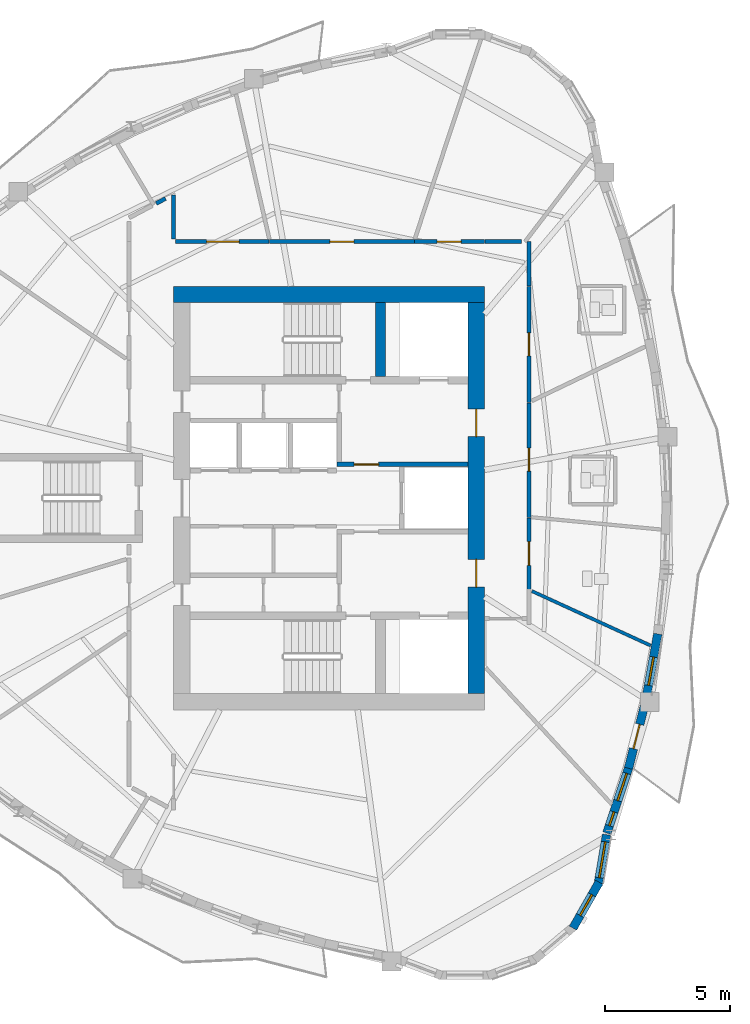
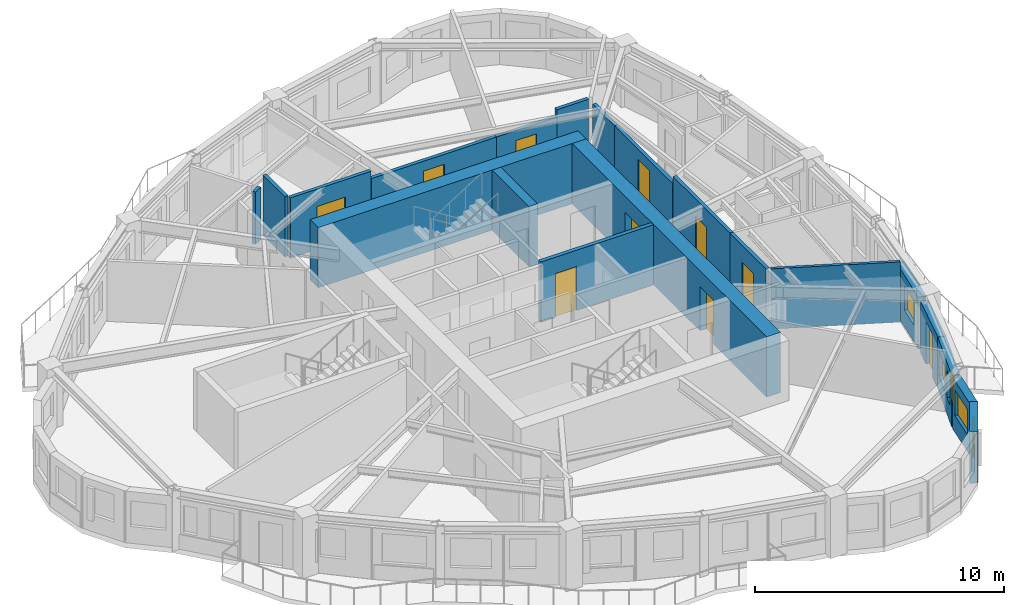
# One storey, part 6 of 12: 20 walls, 10 doors, 5 windows, 15 openings.
"""IFC4 building model written with IfcOpenShell, lengths in metres."""

from ifc_helpers import new_model, si_unit, direction, frame, frame_2d, origin, place, context, subcontext, project, spatial, rectangle, extrude, source, transform, mapped, material, layer, layer_set, type_object, element, fill, save


model = new_model("IFC4")

# Units and contexts
model_context = context("Model", 3, precision=1e-05, world=origin(), true_north=direction((0.0, 1.0)))
body_context = subcontext(model_context, "Body", "Model", "MODEL_VIEW")
ifc_project = project(units=[si_unit("LENGTHUNIT", "METRE"), si_unit("AREAUNIT", "SQUARE_METRE"), si_unit("VOLUMEUNIT", "CUBIC_METRE"), si_unit("PLANEANGLEUNIT", "RADIAN"), si_unit("MASSUNIT", "GRAM", prefix="KILO")], contexts=[model_context])

# Site, building, storey
site_placement = place(None, origin())
site = spatial("IfcSite", under=ifc_project, at=site_placement, CompositionType="ELEMENT")
building_placement = place(site_placement, origin())
building = spatial("IfcBuilding", under=site, at=building_placement, Name="Qafzar Sky-Pleat Residences", CompositionType="ELEMENT")
storey_placement = place(building_placement, frame((0.0, 0.0, 142.60009765625)))
storey = spatial("IfcBuildingStorey", under=building, at=storey_placement, Name="L42", CompositionType="ELEMENT", Elevation=142.60009765625)

# Wall, opening, door
ifc_material_1 = material(Name="Acoustic gypsum plasterboard partition", Category="gypsum")
ifc_layer_1 = layer(ifc_material_1, 0.159912109375)
ifc_layer_set_1 = layer_set([ifc_layer_1], Name="Acoustic gypsum plasterboard partition")
wall_type_1 = type_object("IfcWallType", Name="PART-COR-160", PredefinedType="PARTITIONING", material=ifc_layer_set_1)
wall_1_placement = place(storey_placement, frame((27.97509765625, 36.22998046875, 0.0), z_axis=(0.0, 0.0, 1.0), x_axis=(1.0, 0.0, 0.0)))
wall_1 = element("IfcWall", 1, at=wall_1_placement, inside=storey, type_object=wall_type_1, Name="L42 Partition Wall PART-L42-PW-002", PredefinedType="PARTITIONING", context=body_context, shape_type="SweptSolid", body=[
    extrude(rectangle(XDim=5.77490234375, YDim=0.159912109375, at=frame_2d((2.887451171875, 0.0))), origin(), (0.0, 0.0, 1.0), 2.587890625),
])
opening_1_placement = place(wall_1_placement, frame((2.407470703125, 0.0, 0.0)))
opening_1 = element("IfcOpeningElement", 2, at=opening_1_placement, cuts=wall_1, Name="Opening ID-06", PredefinedType="OPENING", context=body_context, shape_type="SweptSolid", body=[
    extrude(rectangle(XDim=0.9599609375, YDim=2.10009765625, at=frame_2d((0.47998046875, 1.050048828125))), frame((0.0, 0.08984375, 0.0), z_axis=(0.0, -1.0, 0.0), x_axis=(1.0, 0.0, 0.0)), (0.0, 0.0, 1.0), 0.179931640625),
])
ifc_material_2 = material(Name="Timber-faced fire door", Category="wood")
door_type_1 = type_object("IfcDoorType", Name="DR-STD-960", OperationType="NOTDEFINED", PredefinedType="DOOR", material=ifc_material_2)
shared_shape_1 = source(origin(), body_context, "Body", "SweptSolid", [
    extrude(rectangle(XDim=0.9599609375, YDim=2.10009765625, at=frame_2d((0.47998046875, 1.050048828125))), frame((0.0, 0.02490234375, 0.0), z_axis=(0.0, -1.0, 0.0), x_axis=(1.0, 0.0, 0.0)), (0.0, 0.0, 1.0), 0.050048828125),
])
door_1_placement = place(opening_1_placement, origin())
door_1 = element("IfcDoor", 3, at=door_1_placement, inside=storey, type_object=door_type_1, Name="L42 Scholar Co-Working Workspace Door", OperationType="SINGLE_SWING_RIGHT", OverallHeight=2.10009765625, OverallWidth=0.9599609375, PredefinedType="DOOR", context=body_context, shape_type="MappedRepresentation", body=[
    mapped(shared_shape_1, transform((0.0, 0.0, 0.0), x_axis=(1.0, 0.0, 0.0), y_axis=(0.0, 1.0, 0.0), z_axis=(0.0, 0.0, 1.0), scale=1.0)),
])
fill(opening_1, door_1)

wall_2_placement = place(storey_placement, frame((38.330078125, 34.449951171875, 0.0), z_axis=(0.0, 0.0, 1.0), x_axis=(0.0, -1.0, 0.0)))
wall_2 = element("IfcWall", 4, at=wall_2_placement, inside=storey, type_object=wall_type_1, Name="L42 Partition Wall PART-L42-PW-003", PredefinedType="PARTITIONING", context=body_context, shape_type="SweptSolid", body=[
    extrude(rectangle(XDim=4.64306640625, YDim=0.159912109375, at=frame_2d((2.321533203125, 0.0))), origin(), (0.0, 0.0, 1.0), 2.587890625),
])
opening_2_placement = place(wall_2_placement, frame((1.85302734375, 0.0, 0.0)))
opening_2 = element("IfcOpeningElement", 5, at=opening_2_placement, cuts=wall_2, Name="Opening ID-04", PredefinedType="OPENING", context=body_context, shape_type="SweptSolid", body=[
    extrude(rectangle(XDim=0.919921875, YDim=2.10009765625, at=frame_2d((0.4599609375, 1.050048828125))), frame((0.0, 0.08984375, 0.0), z_axis=(0.0, -1.0, 0.0), x_axis=(1.0, 0.0, 0.0)), (0.0, 0.0, 1.0), 0.179931640625),
])
door_type_2 = type_object("IfcDoorType", Name="DR-BED-920", OperationType="NOTDEFINED", PredefinedType="DOOR", material=ifc_material_2)
shared_shape_2 = source(origin(), body_context, "Body", "SweptSolid", [
    extrude(rectangle(XDim=0.919921875, YDim=2.10009765625, at=frame_2d((0.4599609375, 1.050048828125))), frame((0.0, 0.02490234375, 0.0), z_axis=(0.0, -1.0, 0.0), x_axis=(1.0, 0.0, 0.0)), (0.0, 0.0, 1.0), 0.050048828125),
])
door_2_placement = place(opening_2_placement, origin())
door_2 = element("IfcDoor", 6, at=door_2_placement, inside=storey, type_object=door_type_2, Name="L42 Co-Living Bedroom 2 Door", OperationType="SINGLE_SWING_LEFT", OverallHeight=2.10009765625, OverallWidth=0.919921875, PredefinedType="DOOR", context=body_context, shape_type="MappedRepresentation", body=[
    mapped(shared_shape_2, transform((0.0, 0.0, 0.0), x_axis=(1.0, 0.0, 0.0), y_axis=(0.0, 1.0, 0.0), z_axis=(0.0, 0.0, 1.0), scale=1.0)),
])
fill(opening_2, door_2)

wall_3_placement = place(storey_placement, frame((38.330078125, 29.7919921875, 0.0), z_axis=(0.0, 0.0, 1.0), x_axis=(0.0, -1.0, 0.0)))
wall_3 = element("IfcWall", 7, at=wall_3_placement, inside=storey, type_object=wall_type_1, Name="L42 Partition Wall PART-L42-PW-004", PredefinedType="PARTITIONING", context=body_context, shape_type="SweptSolid", body=[
    extrude(rectangle(XDim=4.56396484375, YDim=0.159912109375, at=frame_2d((2.281982421875, 0.0))), origin(), (0.0, 0.0, 1.0), 2.949951171875),
])
opening_3_placement = place(wall_3_placement, frame((1.798095703125, 0.0, 0.0)))
opening_3 = element("IfcOpeningElement", 8, at=opening_3_placement, cuts=wall_3, Name="Opening ID-04", PredefinedType="OPENING", context=body_context, shape_type="SweptSolid", body=[
    extrude(rectangle(XDim=0.919921875, YDim=2.10009765625, at=frame_2d((0.4599609375, 1.050048828125))), frame((0.0, 0.08984375, 0.0), z_axis=(0.0, -1.0, 0.0), x_axis=(1.0, 0.0, 0.0)), (0.0, 0.0, 1.0), 0.179931640625),
])
door_3_placement = place(opening_3_placement, origin())
door_3 = element("IfcDoor", 9, at=door_3_placement, inside=storey, type_object=door_type_2, Name="L42 Co-Living Bedroom 1 Door", OperationType="SINGLE_SWING_RIGHT", OverallHeight=2.10009765625, OverallWidth=0.919921875, PredefinedType="DOOR", context=body_context, shape_type="MappedRepresentation", body=[
    mapped(shared_shape_2, transform((0.0, 0.0, 0.0), x_axis=(1.0, 0.0, 0.0), y_axis=(0.0, 1.0, 0.0), z_axis=(0.0, 0.0, 1.0), scale=1.0)),
])
fill(opening_3, door_3)

wall_4_placement = place(storey_placement, frame((24.215087890625, 36.22998046875, 0.0), z_axis=(0.0, 0.0, 1.0), x_axis=(1.0, 0.0, 0.0)))
wall_4 = element("IfcWall", 10, at=wall_4_placement, inside=storey, type_object=wall_type_1, Name="L42 Partition Wall PART-L42-PW-005", PredefinedType="PARTITIONING", context=body_context, shape_type="SweptSolid", body=[
    extrude(rectangle(XDim=3.744873046875, YDim=0.159912109375, at=frame_2d((1.87255859375, 0.0))), origin(), (0.0, 0.0, 1.0), 2.949951171875),
])
opening_4_placement = place(wall_4_placement, frame((1.2470703125, 0.0, 0.0)))
opening_4 = element("IfcOpeningElement", 11, at=opening_4_placement, cuts=wall_4, Name="Opening ID-05", PredefinedType="OPENING", context=body_context, shape_type="SweptSolid", body=[
    extrude(rectangle(XDim=1.300048828125, YDim=2.10009765625, at=frame_2d((0.64990234375, 1.050048828125))), frame((0.0, 0.08984375, 0.0), z_axis=(0.0, -1.0, 0.0), x_axis=(1.0, 0.0, 0.0)), (0.0, 0.0, 1.0), 0.179931640625),
])
door_type_3 = type_object("IfcDoorType", Name="DR-LNG-1300", OperationType="DOUBLE_DOOR_SINGLE_SWING", PredefinedType="DOOR", material=ifc_material_2)
shared_shape_3 = source(origin(), body_context, "Body", "SweptSolid", [
    extrude(rectangle(XDim=1.300048828125, YDim=2.10009765625, at=frame_2d((0.64990234375, 1.050048828125))), frame((0.0, 0.02490234375, 0.0), z_axis=(0.0, -1.0, 0.0), x_axis=(1.0, 0.0, 0.0)), (0.0, 0.0, 1.0), 0.050048828125),
])
door_4_placement = place(opening_4_placement, origin())
door_4 = element("IfcDoor", 12, at=door_4_placement, inside=storey, type_object=door_type_3, Name="L42 Communal Kitchen Door", OperationType="DOUBLE_DOOR_SINGLE_SWING", OverallHeight=2.10009765625, OverallWidth=1.300048828125, PredefinedType="DOOR", context=body_context, shape_type="MappedRepresentation", body=[
    mapped(shared_shape_3, transform((0.0, 0.0, 0.0), x_axis=(1.0, 0.0, 0.0), y_axis=(0.0, 1.0, 0.0), z_axis=(0.0, 0.0, 1.0), scale=1.0)),
])
fill(opening_4, door_4)

wall_5_placement = place(storey_placement, frame((38.330078125, 25.212890625, 0.0), z_axis=(0.0, 0.0, 1.0), x_axis=(0.0, -1.0, 0.0)))
wall_5 = element("IfcWall", 13, at=wall_5_placement, inside=storey, type_object=wall_type_1, Name="L42 Partition Wall PART-L42-PW-009", PredefinedType="PARTITIONING", context=body_context, shape_type="SweptSolid", body=[
    extrude(rectangle(XDim=2.889892578125, YDim=0.159912109375, at=frame_2d((1.44482421875, 0.0))), origin(), (0.0, 0.0, 1.0), 2.949951171875),
])
opening_5_placement = place(wall_5_placement, frame((0.946044921875, 0.0, 0.0)))
opening_5 = element("IfcOpeningElement", 14, at=opening_5_placement, cuts=wall_5, Name="Opening ID-08", PredefinedType="OPENING", context=body_context, shape_type="SweptSolid", body=[
    extrude(rectangle(XDim=0.949951171875, YDim=2.10009765625, at=frame_2d((0.47509765625, 1.050048828125))), frame((0.0, 0.08984375, 0.0), z_axis=(0.0, -1.0, 0.0), x_axis=(1.0, 0.0, 0.0)), (0.0, 0.0, 1.0), 0.179931640625),
])
door_type_4 = type_object("IfcDoorType", Name="DR-AWC-950", OperationType="NOTDEFINED", PredefinedType="DOOR", material=ifc_material_2)
shared_shape_4 = source(origin(), body_context, "Body", "SweptSolid", [
    extrude(rectangle(XDim=0.949951171875, YDim=2.10009765625, at=frame_2d((0.47509765625, 1.050048828125))), frame((0.0, 0.02490234375, 0.0), z_axis=(0.0, -1.0, 0.0), x_axis=(1.0, 0.0, 0.0)), (0.0, 0.0, 1.0), 0.050048828125),
])
door_5_placement = place(opening_5_placement, origin())
door_5 = element("IfcDoor", 15, at=door_5_placement, inside=storey, type_object=door_type_4, Name="L42 Accessible Shared Washroom Door", OperationType="SINGLE_SWING_LEFT", OverallHeight=2.10009765625, OverallWidth=0.949951171875, PredefinedType="DOOR", context=body_context, shape_type="MappedRepresentation", body=[
    mapped(shared_shape_4, transform((0.0, 0.0, 0.0), x_axis=(1.0, 0.0, 0.0), y_axis=(0.0, 1.0, 0.0), z_axis=(0.0, 0.0, 1.0), scale=1.0)),
])
fill(opening_5, door_5)

wall_6_placement = place(storey_placement, frame((33.764892578125, 36.22998046875, 0.0), z_axis=(0.0, 0.0, 1.0), x_axis=(1.0, 0.0, 0.0)))
wall_6 = element("IfcWall", 16, at=wall_6_placement, inside=storey, type_object=wall_type_1, Name="L42 Partition Wall PART-L42-PW-010", PredefinedType="PARTITIONING", context=body_context, shape_type="SweptSolid", body=[
    extrude(rectangle(XDim=2.78515625, YDim=0.159912109375, at=frame_2d((1.392578125, 0.0))), origin(), (0.0, 0.0, 1.0), 2.587890625),
])
opening_6_placement = place(wall_6_placement, frame((0.89697265625, 0.0, 0.0)))
opening_6 = element("IfcOpeningElement", 17, at=opening_6_placement, cuts=wall_6, Name="Opening ID-06", PredefinedType="OPENING", context=body_context, shape_type="SweptSolid", body=[
    extrude(rectangle(XDim=0.9599609375, YDim=2.10009765625, at=frame_2d((0.47998046875, 1.050048828125))), frame((0.0, 0.08984375, 0.0), z_axis=(0.0, -1.0, 0.0), x_axis=(1.0, 0.0, 0.0)), (0.0, 0.0, 1.0), 0.179931640625),
])
door_6_placement = place(opening_6_placement, origin())
door_6 = element("IfcDoor", 18, at=door_6_placement, inside=storey, type_object=door_type_1, Name="L42 Reading Library Door", OperationType="SINGLE_SWING_RIGHT", OverallHeight=2.10009765625, OverallWidth=0.9599609375, PredefinedType="DOOR", context=body_context, shape_type="MappedRepresentation", body=[
    mapped(shared_shape_1, transform((0.0, 0.0, 0.0), x_axis=(1.0, 0.0, 0.0), y_axis=(0.0, 1.0, 0.0), z_axis=(0.0, 0.0, 1.0), scale=1.0)),
])
fill(opening_6, door_6)

# Walls
wall_7_placement = place(storey_placement, frame((38.330078125, 34.465087890625, 0.0), z_axis=(0.0, 0.0, 1.0), x_axis=(0.0, 1.0, 0.0)))
element("IfcWall", 19, at=wall_7_placement, inside=storey, type_object=wall_type_1, Name="L42 Partition Wall PART-L42-PW-034", PredefinedType="PARTITIONING", context=body_context, shape_type="SweptSolid", body=[
    extrude(rectangle(XDim=1.764892578125, YDim=0.159912109375, at=frame_2d((0.88232421875, 0.0))), origin(), (0.0, 0.0, 1.0), 2.587890625),
])
wall_8_placement = place(storey_placement, frame((24.14990234375, 36.339111328125, 0.0), z_axis=(0.0, 0.0, 1.0), x_axis=(0.0, 1.0, 0.0)))
element("IfcWall", 20, at=wall_8_placement, inside=storey, type_object=wall_type_1, Name="L42 Partition Wall PART-L42-PW-035", PredefinedType="PARTITIONING", context=body_context, shape_type="SweptSolid", body=[
    extrude(rectangle(XDim=1.7568359375, YDim=0.159912109375, at=frame_2d((0.87841796875, 0.0))), origin(), (0.0, 0.0, 1.0), 2.949951171875),
])
wall_9_placement = place(storey_placement, frame((36.56494140625, 36.22998046875, 0.0), z_axis=(0.0, 0.0, 1.0), x_axis=(1.0, 0.0, 0.0)))
element("IfcWall", 21, at=wall_9_placement, inside=storey, type_object=wall_type_1, Name="L42 Partition Wall PART-L42-PW-036", PredefinedType="PARTITIONING", context=body_context, shape_type="SweptSolid", body=[
    extrude(rectangle(XDim=1.463623046875, YDim=0.159912109375, at=frame_2d((0.73193359375, 0.0))), origin(), (0.0, 0.0, 1.0), 2.949951171875),
])
wall_10_placement = place(storey_placement, frame((23.452392578125, 37.7587890625, 0.0), z_axis=(0.0, 0.0, 1.0), x_axis=(0.884665257528, 0.466226749686, 0.0)))
element("IfcWall", 22, at=wall_10_placement, inside=storey, type_object=wall_type_1, Name="L42 Partition Wall PART-L42-PW-043", PredefinedType="PARTITIONING", context=body_context, shape_type="SweptSolid", body=[
    extrude(rectangle(XDim=0.4189453125, YDim=0.159912109375, at=frame_2d((0.20947265625, 0.0))), origin(), (0.0, 0.0, 1.0), 2.557861328125),
])

# Wall, opening, door
ifc_material_3 = material(Name="Concrete blockwork partition", Category="masonry")
ifc_layer_2 = layer(ifc_material_3, 0.179931640625)
ifc_layer_set_2 = layer_set([ifc_layer_2], Name="Concrete blockwork partition")
wall_type_2 = type_object("IfcWallType", Name="PART-SHAFT-180", PredefinedType="PARTITIONING", material=ifc_layer_set_2)
wall_11_placement = place(storey_placement, frame((30.669921875, 27.340087890625, 0.0), z_axis=(0.0, 0.0, 1.0), x_axis=(1.0, 0.0, 0.0)))
wall_11 = element("IfcWall", 23, at=wall_11_placement, inside=storey, type_object=wall_type_2, Name="L42 Partition Wall PART-L42-FFL2-S", PredefinedType="PARTITIONING", context=body_context, shape_type="SweptSolid", body=[
    extrude(rectangle(XDim=5.219970703125, YDim=0.179931640625, at=frame_2d((2.60986328125, 0.0))), origin(), (0.0, 0.0, 1.0), 2.949951171875),
])
opening_7_placement = place(wall_11_placement, frame((0.679931640625, 0.0, 0.0)))
opening_7 = element("IfcOpeningElement", 24, at=opening_7_placement, cuts=wall_11, Name="Opening ID-01", PredefinedType="OPENING", context=body_context, shape_type="SweptSolid", body=[
    extrude(rectangle(XDim=0.97998046875, YDim=2.14990234375, at=frame_2d((0.489990234375, 1.074951171875))), frame((0.0, 0.10009765625, 0.0), z_axis=(0.0, -1.0, 0.0), x_axis=(1.0, 0.0, 0.0)), (0.0, 0.0, 1.0), 0.199951171875),
])
door_type_5 = type_object("IfcDoorType", Name="DR-STAIR-980", OperationType="NOTDEFINED", PredefinedType="DOOR", material=ifc_material_2)
shared_shape_5 = source(origin(), body_context, "Body", "SweptSolid", [
    extrude(rectangle(XDim=0.97998046875, YDim=2.14990234375, at=frame_2d((0.489990234375, 1.074951171875))), frame((0.0, 0.02490234375, 0.0), z_axis=(0.0, -1.0, 0.0), x_axis=(1.0, 0.0, 0.0)), (0.0, 0.0, 1.0), 0.050048828125),
])
door_7_placement = place(opening_7_placement, origin())
door_7 = element("IfcDoor", 25, at=door_7_placement, inside=storey, type_object=door_type_5, Name="L42 Lift Lobby to North Firefighting Lobby Door", OperationType="SINGLE_SWING_RIGHT", OverallHeight=2.14990234375, OverallWidth=0.97998046875, PredefinedType="DOOR", context=body_context, shape_type="MappedRepresentation", body=[
    mapped(shared_shape_5, transform((0.0, 0.0, 0.0), x_axis=(1.0, 0.0, 0.0), y_axis=(0.0, 1.0, 0.0), z_axis=(0.0, 0.0, 1.0), scale=1.0)),
])
fill(opening_7, door_7)

# Wall
ifc_material_4 = material(Name="Moisture-resistant gypsum partition", Category="gypsum")
ifc_layer_3 = layer(ifc_material_4, 0.1298828125)
ifc_layer_set_3 = layer_set([ifc_layer_3], Name="Moisture-resistant gypsum partition")
wall_type_3 = type_object("IfcWallType", Name="PART-WET-130", PredefinedType="PARTITIONING", material=ifc_layer_set_3)
wall_12_placement = place(storey_placement, frame((38.4443359375, 22.28759765625, 0.0), z_axis=(0.0, 0.0, 1.0), x_axis=(0.908945866603, -0.416914153736, 0.0)))
element("IfcWall", 26, at=wall_12_placement, inside=storey, type_object=wall_type_3, Name="L42 Partition Wall PART-L42-PW-021", PredefinedType="PARTITIONING", context=body_context, shape_type="SweptSolid", body=[
    extrude(rectangle(XDim=5.216552734375, YDim=0.1298828125, at=frame_2d((2.6083984375, 0.0))), origin(), (0.0, 0.0, 1.0), 2.949951171875),
])

# Wall, opening, window
ifc_material_5 = material(Name="Precast concrete C40/50 with honed Riyadh limestone", Category="concrete")
ifc_layer_4 = layer(ifc_material_5, 0.340087890625)
ifc_layer_set_4 = layer_set([ifc_layer_4], Name="Precast concrete C40/50 with honed Riyadh limestone")
wall_type_4 = type_object("IfcWallType", Name="WALL-EXT-340", PredefinedType="SOLIDWALL", material=ifc_layer_set_4)
wall_13_placement = place(storey_placement, frame((40.082275390625, 8.83837890625, 0.0), z_axis=(0.0, 0.0, 1.0), x_axis=(0.495764837717, 0.868456807034, 0.0)))
wall_13 = element("IfcWall", 27, at=wall_13_placement, inside=storey, type_object=wall_type_4, Name="L42 Limestone Facade Wall 21", PredefinedType="SOLIDWALL", context=body_context, shape_type="SweptSolid", body=[
    extrude(rectangle(XDim=2.108642578125, YDim=0.340087890625, at=frame_2d((1.05419921875, 0.0))), origin(), (0.0, 0.0, 1.0), 2.52978515625),
])
opening_8_placement = place(wall_13_placement, frame((0.579345703125, 0.0, 0.820068359375)))
opening_8 = element("IfcOpeningElement", 28, at=opening_8_placement, cuts=wall_13, Name="Opening WN-12", PredefinedType="OPENING", context=body_context, shape_type="SweptSolid", body=[
    extrude(rectangle(XDim=0.949951171875, YDim=1.35009765625, at=frame_2d((0.47509765625, 0.675048828125))), frame((0.0, 0.18017578125, 0.0), z_axis=(0.0, -1.0, 0.0), x_axis=(1.0, 0.0, 0.0)), (0.0, 0.0, 1.0), 0.360107421875),
])
ifc_material_6 = material(Name="Solar-control low-E glass in bronze aluminium frame", Category="glass")
window_type_1 = type_object("IfcWindowType", Name="WIN-12", PartitioningType="SINGLE_PANEL", PredefinedType="WINDOW", material=ifc_material_6)
shared_shape_6 = source(origin(), body_context, "Body", "SweptSolid", [
    extrude(rectangle(XDim=0.949951171875, YDim=1.35009765625, at=frame_2d((0.47509765625, 0.675048828125))), frame((0.0, 0.030029296875, 0.0), z_axis=(0.0, -1.0, 0.0), x_axis=(1.0, 0.0, 0.0)), (0.0, 0.0, 1.0), 0.06005859375),
])
window_1_placement = place(opening_8_placement, origin())
window_1 = element("IfcWindow", 29, at=window_1_placement, inside=storey, type_object=window_type_1, Name="L42 Punched Facade Window 21", OverallHeight=1.35009765625, OverallWidth=0.949951171875, PartitioningType="SINGLE_PANEL", PredefinedType="WINDOW", context=body_context, shape_type="MappedRepresentation", body=[
    mapped(shared_shape_6, transform((0.0, 0.0, 0.0), x_axis=(1.0, 0.0, 0.0), y_axis=(0.0, 1.0, 0.0), z_axis=(0.0, 0.0, 1.0), scale=1.0)),
])
fill(opening_8, window_1)

wall_14_placement = place(storey_placement, frame((41.08251953125, 10.54296875, 0.0), z_axis=(0.0, 0.0, 1.0), x_axis=(0.165711561454, 0.986174263708, 0.0)))
wall_14 = element("IfcWall", 30, at=wall_14_placement, inside=storey, type_object=wall_type_4, Name="L42 Limestone Facade Wall 22", PredefinedType="SOLIDWALL", context=body_context, shape_type="SweptSolid", body=[
    extrude(rectangle(XDim=2.05078125, YDim=0.340087890625, at=frame_2d((1.025390625, 0.0))), origin(), (0.0, 0.0, 1.0), 2.52978515625),
])
opening_9_placement = place(wall_14_placement, frame((0.310302734375, 0.0, 0.820068359375)))
opening_9 = element("IfcOpeningElement", 31, at=opening_9_placement, cuts=wall_14, Name="Opening WN-15", PredefinedType="OPENING", context=body_context, shape_type="SweptSolid", body=[
    extrude(rectangle(XDim=1.449951171875, YDim=1.25, at=frame_2d((0.72509765625, 0.625))), frame((0.0, 0.18017578125, 0.0), z_axis=(0.0, -1.0, 0.0), x_axis=(1.0, 0.0, 0.0)), (0.0, 0.0, 1.0), 0.360107421875),
])
window_type_2 = type_object("IfcWindowType", Name="WIN-15", PartitioningType="SINGLE_PANEL", PredefinedType="WINDOW", material=ifc_material_6)
shared_shape_7 = source(origin(), body_context, "Body", "SweptSolid", [
    extrude(rectangle(XDim=1.449951171875, YDim=1.25, at=frame_2d((0.72509765625, 0.625))), frame((0.0, 0.030029296875, 0.0), z_axis=(0.0, -1.0, 0.0), x_axis=(1.0, 0.0, 0.0)), (0.0, 0.0, 1.0), 0.06005859375),
])
window_2_placement = place(opening_9_placement, origin())
window_2 = element("IfcWindow", 32, at=window_2_placement, inside=storey, type_object=window_type_2, Name="L42 Punched Facade Window 22", OverallHeight=1.25, OverallWidth=1.449951171875, PartitioningType="SINGLE_PANEL", PredefinedType="WINDOW", context=body_context, shape_type="MappedRepresentation", body=[
    mapped(shared_shape_7, transform((0.0, 0.0, 0.0), x_axis=(1.0, 0.0, 0.0), y_axis=(0.0, 1.0, 0.0), z_axis=(0.0, 0.0, 1.0), scale=1.0)),
])
fill(opening_9, window_2)

# Wall, openings, windows
wall_15_placement = place(storey_placement, frame((41.438232421875, 12.62939453125, 0.0), z_axis=(0.0, 0.0, 1.0), x_axis=(0.314534815528, 0.949245937479, 0.0)))
wall_15 = element("IfcWall", 33, at=wall_15_placement, inside=storey, type_object=wall_type_4, Name="L42 Limestone Facade Wall 23", PredefinedType="SOLIDWALL", context=body_context, shape_type="SweptSolid", body=[
    extrude(rectangle(XDim=2.81298828125, YDim=0.340087890625, at=frame_2d((1.406494140625, 0.0))), origin(), (0.0, 0.0, 1.0), 2.52978515625),
])
opening_10_placement = place(wall_15_placement, frame((0.311767578125, 0.0, 0.820068359375)))
opening_10 = element("IfcOpeningElement", 34, at=opening_10_placement, cuts=wall_15, Name="Opening WN-17", PredefinedType="OPENING", context=body_context, shape_type="SweptSolid", body=[
    extrude(rectangle(XDim=0.580078125, YDim=1.35009765625, at=frame_2d((0.2900390625, 0.675048828125))), frame((0.0, 0.18017578125, 0.0), z_axis=(0.0, -1.0, 0.0), x_axis=(1.0, 0.0, 0.0)), (0.0, 0.0, 1.0), 0.360107421875),
])
opening_11_placement = place(wall_15_placement, frame((1.36328125, 0.0, 0.820068359375)))
opening_11 = element("IfcOpeningElement", 35, at=opening_11_placement, cuts=wall_15, Name="Opening WN-16", PredefinedType="OPENING", context=body_context, shape_type="SweptSolid", body=[
    extrude(rectangle(XDim=1.14990234375, YDim=1.199951171875, at=frame_2d((0.574951171875, 0.60009765625))), frame((0.0, 0.18017578125, 0.0), z_axis=(0.0, -1.0, 0.0), x_axis=(1.0, 0.0, 0.0)), (0.0, 0.0, 1.0), 0.360107421875),
])
window_type_3 = type_object("IfcWindowType", Name="WIN-17", PartitioningType="SINGLE_PANEL", PredefinedType="WINDOW", material=ifc_material_6)
shared_shape_8 = source(origin(), body_context, "Body", "SweptSolid", [
    extrude(rectangle(XDim=0.580078125, YDim=1.35009765625, at=frame_2d((0.2900390625, 0.675048828125))), frame((0.0, 0.030029296875, 0.0), z_axis=(0.0, -1.0, 0.0), x_axis=(1.0, 0.0, 0.0)), (0.0, 0.0, 1.0), 0.06005859375),
])
window_3_placement = place(opening_10_placement, origin())
window_3 = element("IfcWindow", 36, at=window_3_placement, inside=storey, type_object=window_type_3, Name="L42 Punched Facade Window 23", OverallHeight=1.35009765625, OverallWidth=0.580078125, PartitioningType="SINGLE_PANEL", PredefinedType="WINDOW", context=body_context, shape_type="MappedRepresentation", body=[
    mapped(shared_shape_8, transform((0.0, 0.0, 0.0), x_axis=(1.0, 0.0, 0.0), y_axis=(0.0, 1.0, 0.0), z_axis=(0.0, 0.0, 1.0), scale=1.0)),
])
fill(opening_10, window_3)
window_type_4 = type_object("IfcWindowType", Name="WIN-16", PartitioningType="SINGLE_PANEL", PredefinedType="WINDOW", material=ifc_material_6)
shared_shape_9 = source(origin(), body_context, "Body", "SweptSolid", [
    extrude(rectangle(XDim=1.14990234375, YDim=1.199951171875, at=frame_2d((0.574951171875, 0.60009765625))), frame((0.0, 0.030029296875, 0.0), z_axis=(0.0, -1.0, 0.0), x_axis=(1.0, 0.0, 0.0)), (0.0, 0.0, 1.0), 0.06005859375),
])
window_4_placement = place(opening_11_placement, origin())
window_4 = element("IfcWindow", 37, at=window_4_placement, inside=storey, type_object=window_type_4, Name="L42 Punched Facade Window 23-2", OverallHeight=1.199951171875, OverallWidth=1.14990234375, PartitioningType="SINGLE_PANEL", PredefinedType="WINDOW", context=body_context, shape_type="MappedRepresentation", body=[
    mapped(shared_shape_9, transform((0.0, 0.0, 0.0), x_axis=(1.0, 0.0, 0.0), y_axis=(0.0, 1.0, 0.0), z_axis=(0.0, 0.0, 1.0), scale=1.0)),
])
fill(opening_11, window_4)

# Wall, opening, door
wall_16_placement = place(storey_placement, frame((42.298095703125, 15.21533203125, 0.0), z_axis=(0.0, 0.0, 1.0), x_axis=(0.24779460158, 0.968812590457, 0.0)))
wall_16 = element("IfcWall", 38, at=wall_16_placement, inside=storey, type_object=wall_type_4, Name="L42 Limestone Facade Wall 24", PredefinedType="SOLIDWALL", context=body_context, shape_type="SweptSolid", body=[
    extrude(rectangle(XDim=2.619873046875, YDim=0.340087890625, at=frame_2d((1.31005859375, 0.0))), origin(), (0.0, 0.0, 1.0), 2.52978515625),
])
opening_12_placement = place(wall_16_placement, frame((0.809814453125, 0.0, 0.0)))
opening_12 = element("IfcOpeningElement", 39, at=opening_12_placement, cuts=wall_16, Name="Opening ED-05", PredefinedType="OPENING", context=body_context, shape_type="SweptSolid", body=[
    extrude(rectangle(XDim=1.0, YDim=2.10009765625, at=frame_2d((0.5, 1.050048828125))), frame((0.0, 0.18017578125, 0.0), z_axis=(0.0, -1.0, 0.0), x_axis=(1.0, 0.0, 0.0)), (0.0, 0.0, 1.0), 0.360107421875),
])
ifc_material_7 = material(Name="Glazed bronze aluminium door", Category="aluminium")
door_type_6 = type_object("IfcDoorType", Name="DR-BAL-1000", OperationType="NOTDEFINED", PredefinedType="DOOR", material=ifc_material_7)
shared_shape_10 = source(origin(), body_context, "Body", "SweptSolid", [
    extrude(rectangle(XDim=1.0, YDim=2.10009765625, at=frame_2d((0.5, 1.050048828125))), frame((0.0, 0.02490234375, 0.0), z_axis=(0.0, -1.0, 0.0), x_axis=(1.0, 0.0, 0.0)), (0.0, 0.0, 1.0), 0.050048828125),
])
door_8_placement = place(opening_12_placement, origin())
door_8 = element("IfcDoor", 40, at=door_8_placement, inside=storey, type_object=door_type_6, Name="L42 Glazed Balcony Door 1", OperationType="SINGLE_SWING_LEFT", OverallHeight=2.10009765625, OverallWidth=1.0, PredefinedType="DOOR", context=body_context, shape_type="MappedRepresentation", body=[
    mapped(shared_shape_10, transform((0.0, 0.0, 0.0), x_axis=(1.0, 0.0, 0.0), y_axis=(0.0, 1.0, 0.0), z_axis=(0.0, 0.0, 1.0), scale=1.0)),
])
fill(opening_12, door_8)

# Wall, opening, window
wall_17_placement = place(storey_placement, frame((43.010498046875, 18.044189453125, 0.0), z_axis=(0.0, 0.0, 1.0), x_axis=(0.177116262048, 0.984189935794, 0.0)))
wall_17 = element("IfcWall", 41, at=wall_17_placement, inside=storey, type_object=wall_type_4, Name="L42 Limestone Facade Wall 25", PredefinedType="SOLIDWALL", context=body_context, shape_type="SweptSolid", body=[
    extrude(rectangle(XDim=2.574951171875, YDim=0.340087890625, at=frame_2d((1.28759765625, 0.0))), origin(), (0.0, 0.0, 1.0), 2.52978515625),
])
opening_13_placement = place(wall_17_placement, frame((0.489013671875, 0.0, 0.820068359375)))
opening_13 = element("IfcOpeningElement", 42, at=opening_13_placement, cuts=wall_17, Name="Opening WN-16", PredefinedType="OPENING", context=body_context, shape_type="SweptSolid", body=[
    extrude(rectangle(XDim=1.14990234375, YDim=1.199951171875, at=frame_2d((0.574951171875, 0.60009765625))), frame((0.0, 0.18017578125, 0.0), z_axis=(0.0, -1.0, 0.0), x_axis=(1.0, 0.0, 0.0)), (0.0, 0.0, 1.0), 0.360107421875),
])
window_5_placement = place(opening_13_placement, origin())
window_5 = element("IfcWindow", 43, at=window_5_placement, inside=storey, type_object=window_type_4, Name="L42 Punched Facade Window 25", OverallHeight=1.199951171875, OverallWidth=1.14990234375, PartitioningType="SINGLE_PANEL", PredefinedType="WINDOW", context=body_context, shape_type="MappedRepresentation", body=[
    mapped(shared_shape_9, transform((0.0, 0.0, 0.0), x_axis=(1.0, 0.0, 0.0), y_axis=(0.0, 1.0, 0.0), z_axis=(0.0, 0.0, 1.0), scale=1.0)),
])
fill(opening_13, window_5)

# Walls
ifc_material_8 = material(Name="Concrete C60/75", Category="concrete")
ifc_layer_5 = layer(ifc_material_8, 0.39990234375)
ifc_layer_set_5 = layer_set([ifc_layer_5], Name="Concrete C60/75")
wall_type_5 = type_object("IfcWallType", Name="WALL-SHEAR-400", PredefinedType="SHEAR", material=ifc_layer_set_5)
wall_18_placement = place(storey_placement, frame((32.39990234375, 30.85009765625, 0.0), z_axis=(0.0, 0.0, 1.0), x_axis=(0.0, 1.0, 0.0)))
element("IfcWall", 44, at=wall_18_placement, inside=storey, type_object=wall_type_5, Name="L42 Stair ST2 East Dividing Wall", PredefinedType="SHEAR", context=body_context, shape_type="SweptSolid", body=[
    extrude(rectangle(XDim=2.949951171875, YDim=0.39990234375, at=frame_2d((1.47509765625, 0.0))), origin(), (0.0, 0.0, 1.0), 2.949951171875),
])
ifc_layer_6 = layer(ifc_material_8, 0.64990234375)
ifc_layer_set_6 = layer_set([ifc_layer_6], Name="Concrete C60/75")
wall_type_6 = type_object("IfcWallType", Name="WALL-SHEAR-650", PredefinedType="SHEAR", material=ifc_layer_set_6)
wall_19_placement = place(storey_placement, frame((36.550048828125, 34.125, 0.0), z_axis=(0.0, 0.0, 1.0), x_axis=(-1.0, 0.0, 0.0)))
element("IfcWall", 45, at=wall_19_placement, inside=storey, type_object=wall_type_6, Name="L42 CORE wall N", PredefinedType="SHEAR", context=body_context, shape_type="SweptSolid", body=[
    extrude(rectangle(XDim=12.400146484375, YDim=0.64990234375, at=frame_2d((6.2001953125, 0.0))), origin(), (0.0, 0.0, 1.0), 2.949951171875),
])

# Wall, openings, doors
wall_20_placement = place(storey_placement, frame((36.22509765625, 18.199951171875, 0.0), z_axis=(0.0, 0.0, 1.0), x_axis=(0.0, 1.0, 0.0)))
wall_20 = element("IfcWall", 46, at=wall_20_placement, inside=storey, type_object=wall_type_6, Name="L42 CORE wall E", PredefinedType="SHEAR", context=body_context, shape_type="SweptSolid", body=[
    extrude(rectangle(XDim=15.60009765625, YDim=0.64990234375, at=frame_2d((7.800048828125, 0.0))), origin(), (0.0, 0.0, 1.0), 2.949951171875),
])
opening_14_placement = place(wall_20_placement, frame((4.25, 0.0, 0.0)))
opening_14 = element("IfcOpeningElement", 47, at=opening_14_placement, cuts=wall_20, Name="Opening ID-02", PredefinedType="OPENING", context=body_context, shape_type="SweptSolid", body=[
    extrude(rectangle(XDim=1.10009765625, YDim=2.14990234375, at=frame_2d((0.550048828125, 1.074951171875))), frame((0.0, 0.3349609375, 0.0), z_axis=(0.0, -1.0, 0.0), x_axis=(1.0, 0.0, 0.0)), (0.0, 0.0, 1.0), 0.669921875),
])
opening_15_placement = place(wall_20_placement, frame((10.25, 0.0, 0.0)))
opening_15 = element("IfcOpeningElement", 48, at=opening_15_placement, cuts=wall_20, Name="Opening ID-02", PredefinedType="OPENING", context=body_context, shape_type="SweptSolid", body=[
    extrude(rectangle(XDim=1.10009765625, YDim=2.14990234375, at=frame_2d((0.550048828125, 1.074951171875))), frame((0.0, 0.3349609375, 0.0), z_axis=(0.0, -1.0, 0.0), x_axis=(1.0, 0.0, 0.0)), (0.0, 0.0, 1.0), 0.669921875),
])
door_type_7 = type_object("IfcDoorType", Name="DR-FFL-1100", OperationType="NOTDEFINED", PredefinedType="DOOR", material=ifc_material_2)
shared_shape_11 = source(origin(), body_context, "Body", "SweptSolid", [
    extrude(rectangle(XDim=1.10009765625, YDim=2.14990234375, at=frame_2d((0.550048828125, 1.074951171875))), frame((0.0, 0.02490234375, 0.0), z_axis=(0.0, -1.0, 0.0), x_axis=(1.0, 0.0, 0.0)), (0.0, 0.0, 1.0), 0.050048828125),
])
door_9_placement = place(opening_14_placement, origin())
door_9 = element("IfcDoor", 49, at=door_9_placement, inside=storey, type_object=door_type_7, Name="L42 Firefighting Lobby South Corridor Door", OperationType="SINGLE_SWING_LEFT", OverallHeight=2.14990234375, OverallWidth=1.10009765625, PredefinedType="DOOR", context=body_context, shape_type="MappedRepresentation", body=[
    mapped(shared_shape_11, transform((0.0, 0.0, 0.0), x_axis=(1.0, 0.0, 0.0), y_axis=(0.0, 1.0, 0.0), z_axis=(0.0, 0.0, 1.0), scale=1.0)),
])
fill(opening_14, door_9)
door_10_placement = place(opening_15_placement, origin())
door_10 = element("IfcDoor", 50, at=door_10_placement, inside=storey, type_object=door_type_7, Name="L42 Firefighting Lobby North Corridor Door", OperationType="SINGLE_SWING_RIGHT", OverallHeight=2.14990234375, OverallWidth=1.10009765625, PredefinedType="DOOR", context=body_context, shape_type="MappedRepresentation", body=[
    mapped(shared_shape_11, transform((0.0, 0.0, 0.0), x_axis=(1.0, 0.0, 0.0), y_axis=(0.0, 1.0, 0.0), z_axis=(0.0, 0.0, 1.0), scale=1.0)),
])
fill(opening_15, door_10)

save(model, "model.ifc")
